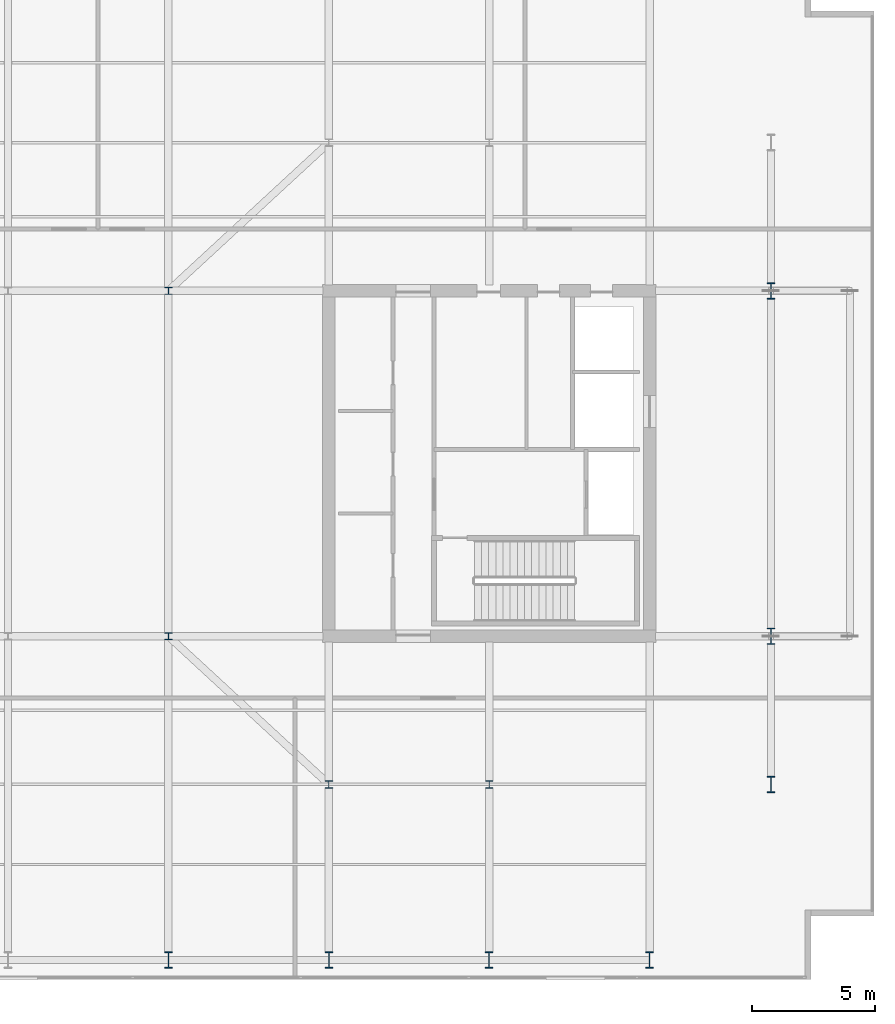
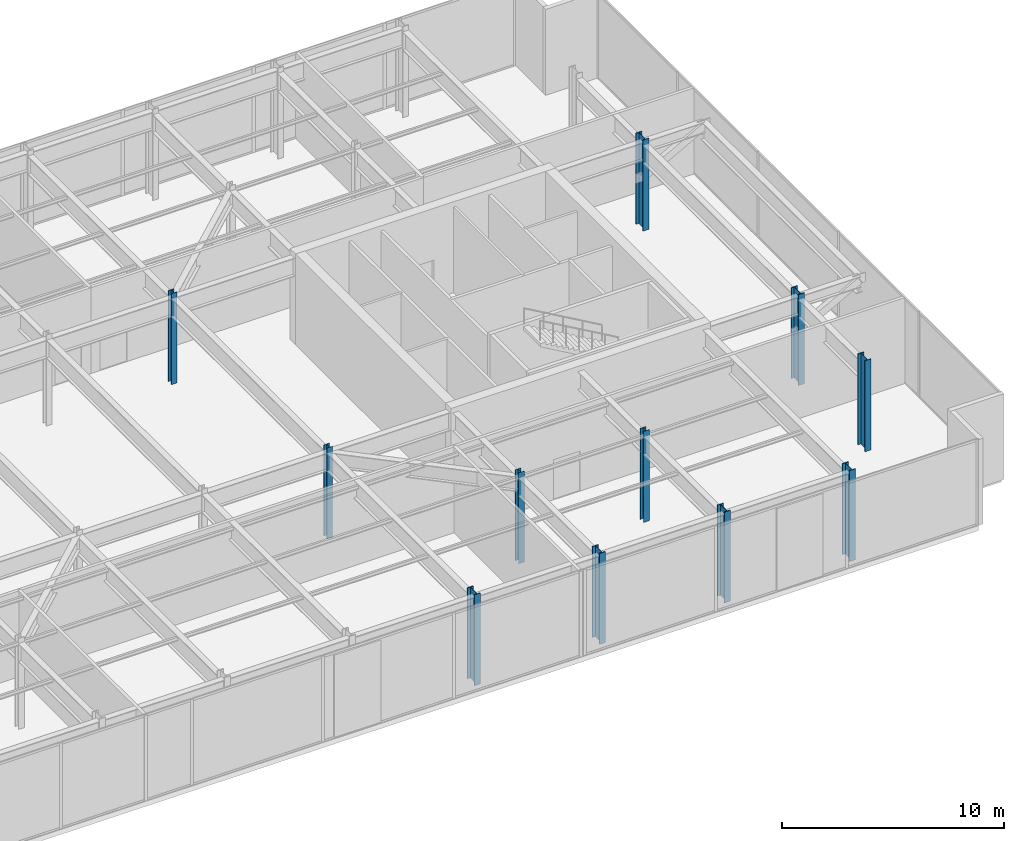
# One storey, part 2 of 23: 11 columns.
"""IFC4 building model written with IfcOpenShell, lengths in metres."""

from ifc_helpers import new_model, si_unit, direction, frame, origin, origin_2d, place, context, subcontext, project, spatial, i_section, extrude, material, material_profile, profile_set, type_object, element, save


model = new_model("IFC4")

# Units and contexts
model_context = context("Model", 3, precision=1e-05, world=origin(), true_north=direction((0.0, 1.0)))
body_context = subcontext(model_context, "Body", "Model", "MODEL_VIEW")
ifc_project = project(units=[si_unit("LENGTHUNIT", "METRE"), si_unit("AREAUNIT", "SQUARE_METRE"), si_unit("VOLUMEUNIT", "CUBIC_METRE"), si_unit("PLANEANGLEUNIT", "RADIAN"), si_unit("MASSUNIT", "GRAM", prefix="KILO")], contexts=[model_context])

# Site, building, storey
site_placement = place(None, origin())
site = spatial("IfcSite", under=ifc_project, at=site_placement, CompositionType="ELEMENT")
building_placement = place(site_placement, origin())
building = spatial("IfcBuilding", under=site, at=building_placement, Name="Putna Gate Headquarters", CompositionType="ELEMENT")
storey_placement = place(building_placement, frame((0.0, 0.0, 310.39990234375)))
storey = spatial("IfcBuildingStorey", under=building, at=storey_placement, Name="L78", CompositionType="ELEMENT", Elevation=310.39990234375)

# Columns
ifc_material = material(Name="Steel S460M", Category="steel")
ifc_material_profile_1 = material_profile(ifc_material, i_section(OverallWidth=0.300048828125, OverallDepth=0.300048828125, WebThickness=0.010986328125, FlangeThickness=0.01904296875, at=origin_2d()), Name="Steel S460M")
ifc_profile_set_1 = profile_set([ifc_material_profile_1], Name="Steel S460M")
column_type_1 = type_object("IfcColumnType", Name="COL-STL-HEB300-CRN", PredefinedType="COLUMN", material=ifc_profile_set_1)
for number, where, z_axis, x_axis, name in (
    (1, (58.5, 13.0, 0.0), (0.0, 0.0, 1.0), (1.0, 0.0, 0.0), "L78 Column CSI-ES"),
    (2, (45.5, 19.0, 0.0), (0.0, 0.0, 1.0), (1.0, 0.0, 0.0), "L78 Column CAI-S45"),
    (3, (45.5, 33.0, 0.0), (0.0, 0.0, 1.0), (1.0, 0.0, 0.0), "L78 Column CAI-N45"),
    (4, (52.0, 13.0, 0.0), (0.0, 0.0, 1.0), (1.0, 0.0, 0.0), "L78 Column CAP-ES"),
):
    element("IfcColumn", number, at=place(storey_placement, frame(where, z_axis=z_axis, x_axis=x_axis)), inside=storey, type_object=column_type_1, Name=name, PredefinedType="COLUMN", context=body_context, shape_type="SweptSolid", body=[
        extrude(i_section(OverallWidth=0.300048828125, OverallDepth=0.300048828125, WebThickness=0.010986328125, FlangeThickness=0.01904296875, at=origin_2d()), origin(), (0.0, 0.0, 1.0), 5.0),
    ])
ifc_material_profile_2 = material_profile(ifc_material, i_section(OverallWidth=0.304931640625, OverallDepth=0.66796875, WebThickness=0.02099609375, FlangeThickness=0.0400390625, at=origin_2d()), Name="Steel S460M")
ifc_profile_set_2 = profile_set([ifc_material_profile_2], Name="Steel S460M")
column_type_2 = type_object("IfcColumnType", Name="COL-STL-HEM650-EXT", PredefinedType="COLUMN", material=ifc_profile_set_2)
for number, where, z_axis, x_axis, name in (
    (5, (45.5, 5.8798828125, 0.0), (0.0, 0.0, 1.0), (1.0, 0.0, 0.0), "L78 Column CP-S45"),
    (6, (52.0, 5.8798828125, 0.0), (0.0, 0.0, 1.0), (1.0, 0.0, 0.0), "L78 Column CP-S52"),
    (7, (58.5, 5.8798828125, 0.0), (0.0, 0.0, 1.0), (1.0, 0.0, 0.0), "L78 Column CP-S58"),
    (8, (65.0, 5.8798828125, 0.0), (0.0, 0.0, 1.0), (1.0, 0.0, 0.0), "L78 Column CP-S65"),
    (9, (69.919921875, 13.0, 0.0), (0.0, 0.0, 1.0), (1.0, 0.0, 0.0), "L78 Column CP-E13"),
    (10, (69.919921875, 19.0, 0.0), (0.0, 0.0, 1.0), (1.0, 0.0, 0.0), "L78 Column CP-E19"),
    (11, (69.919921875, 33.0, 0.0), (0.0, 0.0, 1.0), (1.0, 0.0, 0.0), "L78 Column CP-E33"),
):
    element("IfcColumn", number, at=place(storey_placement, frame(where, z_axis=z_axis, x_axis=x_axis)), inside=storey, type_object=column_type_2, Name=name, PredefinedType="COLUMN", context=body_context, shape_type="SweptSolid", body=[
        extrude(i_section(OverallWidth=0.304931640625, OverallDepth=0.66796875, WebThickness=0.02099609375, FlangeThickness=0.0400390625, at=origin_2d()), origin(), (0.0, 0.0, 1.0), 5.0),
    ])

save(model, "model.ifc")
